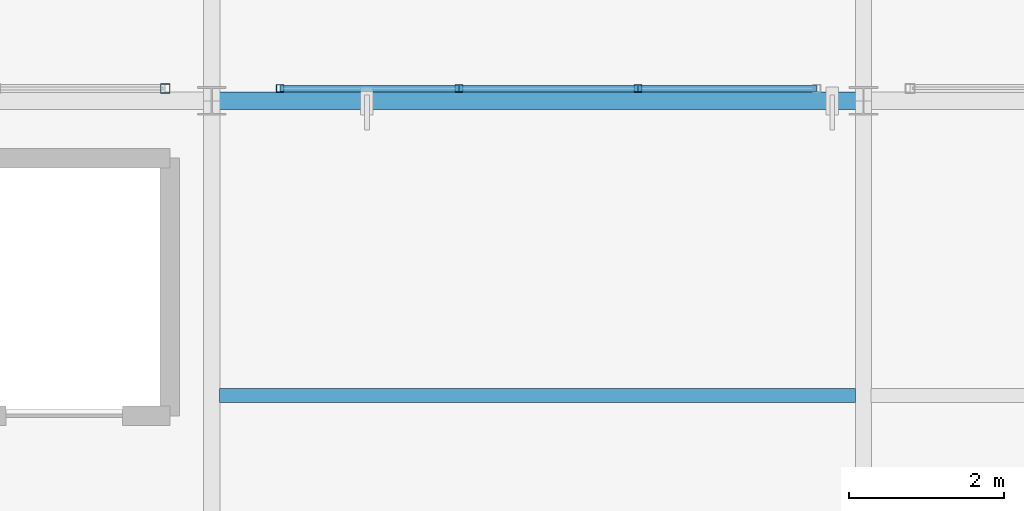
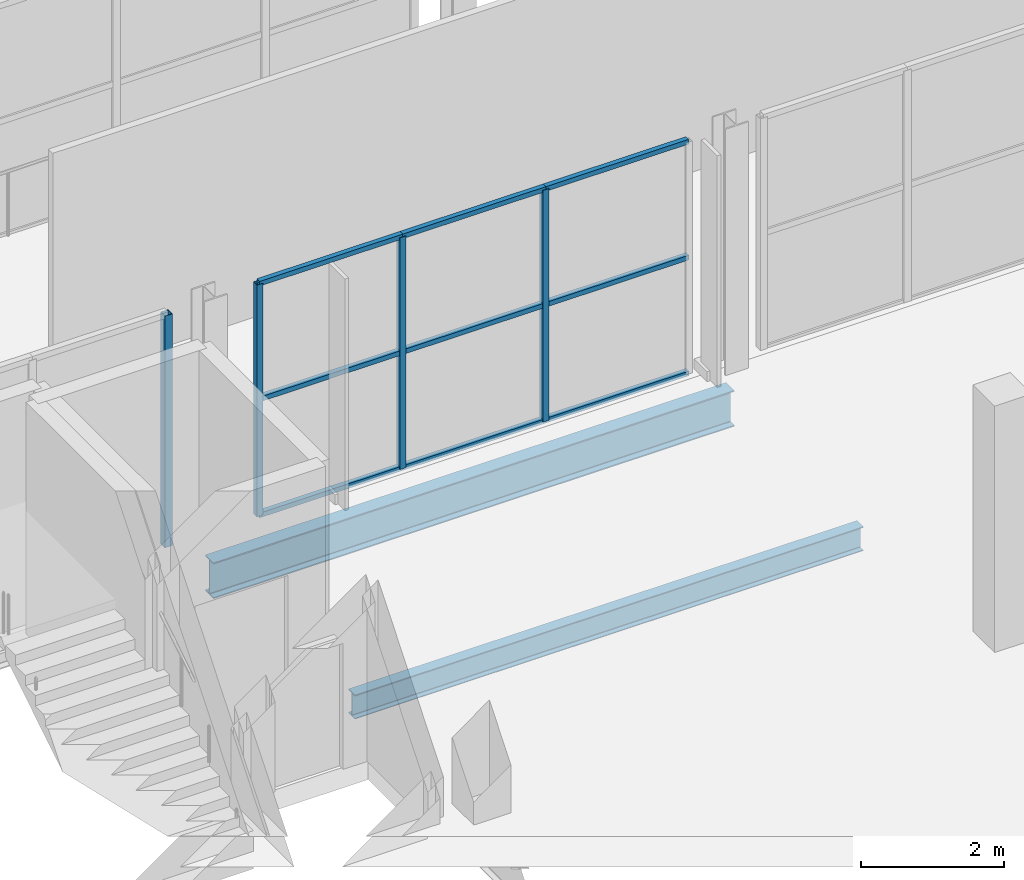
# One storey, part 29 of 217: 13 members, 2 beams, 2 elements without a shape of their own.
"""IFC4 building model written with IfcOpenShell, lengths in metres."""

from ifc_helpers import new_model, si_unit, direction, frame, origin, origin_2d, place, context, subcontext, project, spatial, hollow_rectangle, i_section, extrude, material, material_profile, profile_set, type_object, element, aggregate, save


model = new_model("IFC4")

# Units and contexts
model_context = context("Model", 3, precision=1e-05, world=origin(), true_north=direction((0.0, 1.0)))
body_context = subcontext(model_context, "Body", "Model", "MODEL_VIEW")
ifc_project = project(units=[si_unit("LENGTHUNIT", "METRE"), si_unit("AREAUNIT", "SQUARE_METRE"), si_unit("VOLUMEUNIT", "CUBIC_METRE"), si_unit("PLANEANGLEUNIT", "RADIAN"), si_unit("MASSUNIT", "GRAM", prefix="KILO")], contexts=[model_context])

# Site, building, storey
site_placement = place(None, origin())
site = spatial("IfcSite", under=ifc_project, at=site_placement, CompositionType="ELEMENT")
building_placement = place(site_placement, origin())
building = spatial("IfcBuilding", under=site, at=building_placement, Name="Zuvorla Pavilion Media Centre", CompositionType="ELEMENT")
storey_placement = place(building_placement, frame((0.0, 0.0, 9.60009765625)))
storey = spatial("IfcBuildingStorey", under=building, at=storey_placement, Name="L02", CompositionType="ELEMENT", Elevation=9.60009765625)

# Beams
ifc_material_1 = material(Name="Steel S355", Category="steel")
ifc_material_profile_1 = material_profile(ifc_material_1, i_section(OverallWidth=0.1787109375, OverallDepth=0.409423828125, WebThickness=0.0087890625, FlangeThickness=0.014404296875, FilletRadius=0.01025390625, at=origin_2d()), Name="UB 406x178x67")
ifc_profile_set_1 = profile_set([ifc_material_profile_1], Name="Steel S355")
beam_type_1 = type_object("IfcBeamType", Name="BM-UB406", PredefinedType="JOIST", material=ifc_profile_set_1)
beam_1_placement = place(storey_placement, frame((50.10009765625, 40.199951171875, -0.562744140625), z_axis=(1.0, 0.0, 0.0), x_axis=(0.0, 1.0, 0.0)))
element("IfcBeam", 1, at=beam_1_placement, inside=storey, type_object=beam_type_1, Name="L02 joist J02 997", PredefinedType="JOIST", context=body_context, shape_type="SweptSolid", body=[
    extrude(i_section(OverallWidth=0.1787109375, OverallDepth=0.409423828125, WebThickness=0.0087890625, FlangeThickness=0.014404296875, FilletRadius=0.01025390625, at=origin_2d()), origin(), (0.0, 0.0, 1.0), 8.199951171875),
])
ifc_material_profile_2 = material_profile(ifc_material_1, i_section(OverallWidth=0.22900390625, OverallDepth=0.6123046875, WebThickness=0.011962890625, FlangeThickness=0.01953125, FilletRadius=0.0126953125, at=origin_2d()), Name="UB 610x229x125")
ifc_profile_set_2 = profile_set([ifc_material_profile_2], Name="Steel S355")
beam_type_2 = type_object("IfcBeamType", Name="BM-UB610", PredefinedType="BEAM", material=ifc_profile_set_2)
beam_2_placement = place(storey_placement, frame((50.0, 44.0, -0.664306640625), z_axis=(1.0, 0.0, 0.0), x_axis=(0.0, 1.0, 0.0)))
element("IfcBeam", 2, at=beam_2_placement, inside=storey, type_object=beam_type_2, Name="L02 beam B07 822", PredefinedType="BEAM", context=body_context, shape_type="SweptSolid", body=[
    extrude(i_section(OverallWidth=0.22900390625, OverallDepth=0.6123046875, WebThickness=0.011962890625, FlangeThickness=0.01953125, FilletRadius=0.0126953125, at=origin_2d()), origin(), (0.0, 0.0, 1.0), 8.39990234375),
])

# Curtain wall, members
ifc_material_2 = material(Name="Unitised anodised aluminium and solar glass curtain wall", Category="aluminium")
curtain_wall_type_1 = type_object("IfcCurtainWallType", Name="CW-SYS-22", PredefinedType="USERDEFINED", material=ifc_material_2)
curtain_wall_1_placement = place(storey_placement, origin())
curtain_wall_1 = element("IfcCurtainWall", 3, at=curtain_wall_1_placement, inside=storey, type_object=curtain_wall_type_1, Name="L02 curtain wall CW22 41", ObjectType="CURTAIN WALL", PredefinedType="USERDEFINED")
ifc_material_3 = material(Name="Anodised aluminium 6063-T6", Category="aluminium")
ifc_material_profile_3 = material_profile(ifc_material_3, hollow_rectangle(XDim=0.10009765625, YDim=0.10009765625, WallThickness=0.00439453125, at=origin_2d()), Name="ALU MULL 100x100")
ifc_profile_set_3 = profile_set([ifc_material_profile_3], Name="Anodised aluminium 6063-T6")
member_type_1 = type_object("IfcMemberType", Name="CW-MULL-100", PredefinedType="MULLION", material=ifc_profile_set_3)
member_1_placement = place(storey_placement, frame((50.8798828125, 44.159912109375, 0.0), z_axis=(0.0, 0.0, 1.0), x_axis=(1.0, 0.0, 0.0)))
member_1 = element("IfcMember", 4, at=member_1_placement, type_object=member_type_1, Name="CW22 mullion 1", PredefinedType="MULLION", context=body_context, shape_type="SweptSolid", body=[
    extrude(hollow_rectangle(XDim=0.10009765625, YDim=0.10009765625, WallThickness=0.00439453125, at=origin_2d()), origin(), (0.0, 0.0, 1.0), 3.949951171875),
])
member_2_placement = place(storey_placement, frame((53.1865234375, 44.159912109375, 0.0), z_axis=(0.0, 0.0, 1.0), x_axis=(1.0, 0.0, 0.0)))
member_2 = element("IfcMember", 5, at=member_2_placement, type_object=member_type_1, Name="CW22 mullion 2", PredefinedType="MULLION", context=body_context, shape_type="SweptSolid", body=[
    extrude(hollow_rectangle(XDim=0.10009765625, YDim=0.10009765625, WallThickness=0.00439453125, at=origin_2d()), origin(), (0.0, 0.0, 1.0), 3.949951171875),
])
member_3_placement = place(storey_placement, frame((55.4931640625, 44.159912109375, 0.0), z_axis=(0.0, 0.0, 1.0), x_axis=(1.0, 0.0, 0.0)))
member_3 = element("IfcMember", 6, at=member_3_placement, type_object=member_type_1, Name="CW22 mullion 3", PredefinedType="MULLION", context=body_context, shape_type="SweptSolid", body=[
    extrude(hollow_rectangle(XDim=0.10009765625, YDim=0.10009765625, WallThickness=0.00439453125, at=origin_2d()), origin(), (0.0, 0.0, 1.0), 3.949951171875),
])

# Curtain wall, member
curtain_wall_type_2 = type_object("IfcCurtainWallType", Name="CW-SYS-21", PredefinedType="USERDEFINED", material=ifc_material_2)
curtain_wall_2_placement = place(storey_placement, origin())
curtain_wall_2 = element("IfcCurtainWall", 7, at=curtain_wall_2_placement, inside=storey, type_object=curtain_wall_type_2, Name="L02 curtain wall CW21 40", ObjectType="CURTAIN WALL", PredefinedType="USERDEFINED")
ifc_material_profile_4 = material_profile(ifc_material_3, hollow_rectangle(XDim=0.1201171875, YDim=0.1201171875, WallThickness=0.0048828125, at=origin_2d()), Name="ALU MULL 120x120")
ifc_profile_set_4 = profile_set([ifc_material_profile_4], Name="Anodised aluminium 6063-T6")
member_type_2 = type_object("IfcMemberType", Name="CW-MULL-120", PredefinedType="MULLION", material=ifc_profile_set_4)
member_4_placement = place(storey_placement, frame((49.39990234375, 44.159912109375, 0.0), z_axis=(0.0, 0.0, 1.0), x_axis=(1.0, 0.0, 0.0)))
member_4 = element("IfcMember", 8, at=member_4_placement, type_object=member_type_2, Name="CW21 mullion 4", PredefinedType="MULLION", context=body_context, shape_type="SweptSolid", body=[
    extrude(hollow_rectangle(XDim=0.1201171875, YDim=0.1201171875, WallThickness=0.0048828125, at=origin_2d()), origin(), (0.0, 0.0, 1.0), 3.949951171875),
])
aggregate(curtain_wall_2, [member_4])

# Member
ifc_material_profile_5 = material_profile(ifc_material_3, hollow_rectangle(XDim=0.080078125, YDim=0.080078125, WallThickness=0.00390625, at=origin_2d()), Name="ALU TRAN 80x80")
ifc_profile_set_5 = profile_set([ifc_material_profile_5], Name="Anodised aluminium 6063-T6")
member_type_3 = type_object("IfcMemberType", Name="CW-TRAN-80", PredefinedType="USERDEFINED", material=ifc_profile_set_5)
member_5_placement = place(storey_placement, frame((50.8798828125, 44.159912109375, 0.0), z_axis=(1.0, 0.0, 0.0), x_axis=(0.0, 1.0, 0.0)))
member_5 = element("IfcMember", 9, at=member_5_placement, type_object=member_type_3, Name="CW22 transom 1.1", ObjectType="TRANSOM", PredefinedType="USERDEFINED", context=body_context, shape_type="SweptSolid", body=[
    extrude(hollow_rectangle(XDim=0.080078125, YDim=0.080078125, WallThickness=0.00390625, at=origin_2d()), origin(), (0.0, 0.0, 1.0), 2.306640625),
])

member_6_placement = place(storey_placement, frame((50.8798828125, 44.159912109375, 1.974853515625), z_axis=(1.0, 0.0, 0.0), x_axis=(0.0, 1.0, 0.0)))
member_6 = element("IfcMember", 10, at=member_6_placement, type_object=member_type_3, Name="CW22 transom 1.2", ObjectType="TRANSOM", PredefinedType="USERDEFINED", context=body_context, shape_type="SweptSolid", body=[
    extrude(hollow_rectangle(XDim=0.080078125, YDim=0.080078125, WallThickness=0.00390625, at=origin_2d()), origin(), (0.0, 0.0, 1.0), 2.306640625),
])

member_7_placement = place(storey_placement, frame((50.8798828125, 44.159912109375, 3.949951171875), z_axis=(1.0, 0.0, 0.0), x_axis=(0.0, 1.0, 0.0)))
member_7 = element("IfcMember", 11, at=member_7_placement, type_object=member_type_3, Name="CW22 transom 1.3", ObjectType="TRANSOM", PredefinedType="USERDEFINED", context=body_context, shape_type="SweptSolid", body=[
    extrude(hollow_rectangle(XDim=0.080078125, YDim=0.080078125, WallThickness=0.00390625, at=origin_2d()), origin(), (0.0, 0.0, 1.0), 2.306640625),
])

member_8_placement = place(storey_placement, frame((53.1865234375, 44.159912109375, 0.0), z_axis=(1.0, 0.0, 0.0), x_axis=(0.0, 1.0, 0.0)))
member_8 = element("IfcMember", 12, at=member_8_placement, type_object=member_type_3, Name="CW22 transom 2.1", ObjectType="TRANSOM", PredefinedType="USERDEFINED", context=body_context, shape_type="SweptSolid", body=[
    extrude(hollow_rectangle(XDim=0.080078125, YDim=0.080078125, WallThickness=0.00390625, at=origin_2d()), origin(), (0.0, 0.0, 1.0), 2.306640625),
])

member_9_placement = place(storey_placement, frame((53.1865234375, 44.159912109375, 1.974853515625), z_axis=(1.0, 0.0, 0.0), x_axis=(0.0, 1.0, 0.0)))
member_9 = element("IfcMember", 13, at=member_9_placement, type_object=member_type_3, Name="CW22 transom 2.2", ObjectType="TRANSOM", PredefinedType="USERDEFINED", context=body_context, shape_type="SweptSolid", body=[
    extrude(hollow_rectangle(XDim=0.080078125, YDim=0.080078125, WallThickness=0.00390625, at=origin_2d()), origin(), (0.0, 0.0, 1.0), 2.306640625),
])

member_10_placement = place(storey_placement, frame((53.1865234375, 44.159912109375, 3.949951171875), z_axis=(1.0, 0.0, 0.0), x_axis=(0.0, 1.0, 0.0)))
member_10 = element("IfcMember", 14, at=member_10_placement, type_object=member_type_3, Name="CW22 transom 2.3", ObjectType="TRANSOM", PredefinedType="USERDEFINED", context=body_context, shape_type="SweptSolid", body=[
    extrude(hollow_rectangle(XDim=0.080078125, YDim=0.080078125, WallThickness=0.00390625, at=origin_2d()), origin(), (0.0, 0.0, 1.0), 2.306640625),
])

member_11_placement = place(storey_placement, frame((55.4931640625, 44.159912109375, 0.0), z_axis=(1.0, 0.0, 0.0), x_axis=(0.0, 1.0, 0.0)))
member_11 = element("IfcMember", 15, at=member_11_placement, type_object=member_type_3, Name="CW22 transom 3.1", ObjectType="TRANSOM", PredefinedType="USERDEFINED", context=body_context, shape_type="SweptSolid", body=[
    extrude(hollow_rectangle(XDim=0.080078125, YDim=0.080078125, WallThickness=0.00390625, at=origin_2d()), origin(), (0.0, 0.0, 1.0), 2.306640625),
])

member_12_placement = place(storey_placement, frame((55.4931640625, 44.159912109375, 1.974853515625), z_axis=(1.0, 0.0, 0.0), x_axis=(0.0, 1.0, 0.0)))
member_12 = element("IfcMember", 16, at=member_12_placement, type_object=member_type_3, Name="CW22 transom 3.2", ObjectType="TRANSOM", PredefinedType="USERDEFINED", context=body_context, shape_type="SweptSolid", body=[
    extrude(hollow_rectangle(XDim=0.080078125, YDim=0.080078125, WallThickness=0.00390625, at=origin_2d()), origin(), (0.0, 0.0, 1.0), 2.306640625),
])

member_13_placement = place(storey_placement, frame((55.4931640625, 44.159912109375, 3.949951171875), z_axis=(1.0, 0.0, 0.0), x_axis=(0.0, 1.0, 0.0)))
member_13 = element("IfcMember", 17, at=member_13_placement, type_object=member_type_3, Name="CW22 transom 3.3", ObjectType="TRANSOM", PredefinedType="USERDEFINED", context=body_context, shape_type="SweptSolid", body=[
    extrude(hollow_rectangle(XDim=0.080078125, YDim=0.080078125, WallThickness=0.00390625, at=origin_2d()), origin(), (0.0, 0.0, 1.0), 2.306640625),
])

aggregate(curtain_wall_1, [member_1, member_2, member_3, member_5, member_6, member_7, member_8, member_9, member_10, member_11, member_12, member_13])

save(model, "model.ifc")
